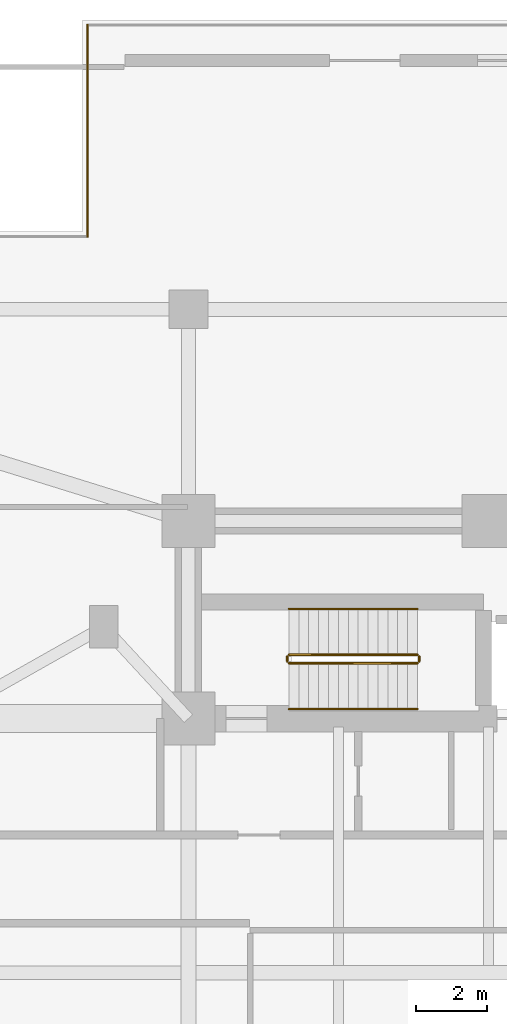
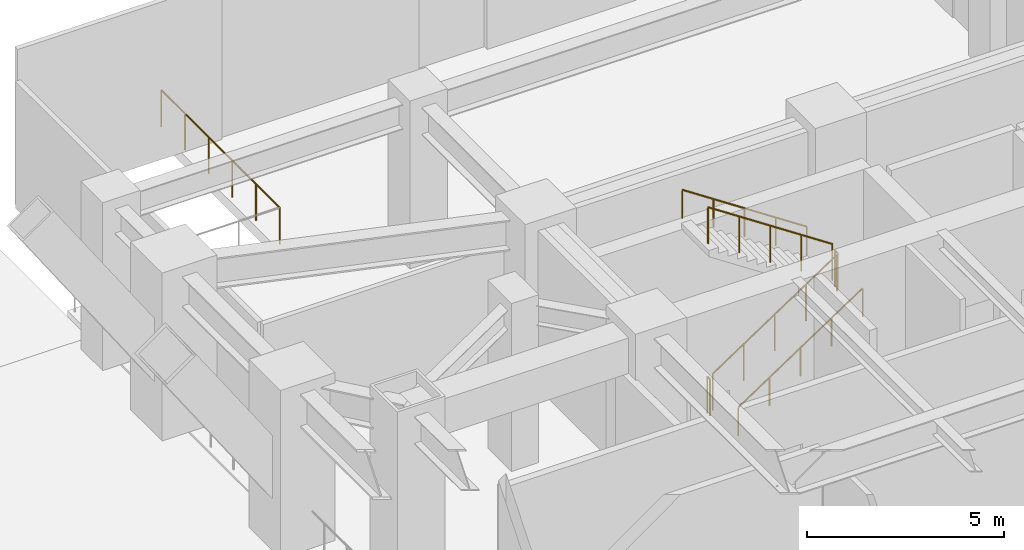
# One storey, part 25 of 27: 7 railings.
"""IFC4 building model written with IfcOpenShell, lengths in metres."""

from ifc_helpers import new_model, si_unit, direction, frame, origin, origin_2d, place, context, subcontext, project, spatial, circle, extrude, material, type_object, element, save


model = new_model("IFC4")

# Units and contexts
model_context = context("Model", 3, precision=1e-05, world=origin(), true_north=direction((0.0, 1.0)))
body_context = subcontext(model_context, "Body", "Model", "MODEL_VIEW")
ifc_project = project(units=[si_unit("LENGTHUNIT", "METRE"), si_unit("AREAUNIT", "SQUARE_METRE"), si_unit("VOLUMEUNIT", "CUBIC_METRE"), si_unit("PLANEANGLEUNIT", "RADIAN"), si_unit("MASSUNIT", "GRAM", prefix="KILO")], contexts=[model_context])

# Site, building, storey
site_placement = place(None, origin())
site = spatial("IfcSite", under=ifc_project, at=site_placement, CompositionType="ELEMENT")
building_placement = place(site_placement, origin())
building = spatial("IfcBuilding", under=site, at=building_placement, Name="Mirazonda Arch Towers", CompositionType="ELEMENT")
storey_placement = place(building_placement, origin())
storey = spatial("IfcBuildingStorey", under=building, at=storey_placement, Name="L00", CompositionType="ELEMENT", Elevation=0.0)

# Railings
ifc_material = material(Name="Architectural Brushed Steel S355", Category="steel")
railing_type_1 = type_object("IfcRailingType", Name="GUARD-EXT-1150", PredefinedType="GUARDRAIL", material=ifc_material)
railing_1_placement = place(storey_placement, frame((65.139892578125, 54.860107421875, 0.0)))
element("IfcRailing", 1, at=railing_1_placement, inside=storey, type_object=railing_type_1, Name="L00 L00 Podium Edge Guard 10 05", PredefinedType="GUARDRAIL", context=body_context, shape_type="SweptSolid", body=[
    extrude(circle(Radius=0.02392578125, at=origin_2d()), frame((0.0, 0.0, 1.1259765625), z_axis=(0.0, -1.0, 0.0), x_axis=(1.0, 0.0, 0.0)), (0.0, 0.0, 1.0), 6.0),
    extrude(circle(Radius=0.02099609375, at=origin_2d()), origin(), (0.0, 0.0, 1.0), 1.101806640625),
    extrude(circle(Radius=0.02099609375, at=origin_2d()), frame((0.0, -1.199951171875, 0.0)), (0.0, 0.0, 1.0), 1.101806640625),
    extrude(circle(Radius=0.02099609375, at=origin_2d()), frame((0.0, -2.39990234375, 0.0)), (0.0, 0.0, 1.0), 1.101806640625),
    extrude(circle(Radius=0.02099609375, at=origin_2d()), frame((0.0, -3.60009765625, 0.0)), (0.0, 0.0, 1.0), 1.101806640625),
    extrude(circle(Radius=0.02099609375, at=origin_2d()), frame((0.0, -4.800048828125, 0.0)), (0.0, 0.0, 1.0), 1.101806640625),
    extrude(circle(Radius=0.02099609375, at=origin_2d()), frame((0.0, -6.0, 0.0)), (0.0, 0.0, 1.0), 1.101806640625),
])
railing_type_2 = type_object("IfcRailingType", Name="GUARD-STAIR-1120", PredefinedType="GUARDRAIL", material=ifc_material)
railing_2_placement = place(storey_placement, frame((70.85009765625, 36.77001953125, 0.185791015625)))
element("IfcRailing", 2, at=railing_2_placement, inside=storey, type_object=railing_type_2, Name="L00 ST-T2N stair guard 1", PredefinedType="GUARDRAIL", context=body_context, shape_type="SweptSolid", body=[
    extrude(circle(Radius=0.02392578125, at=origin_2d()), frame((0.0, 0.0, 1.1259765625), z_axis=(0.833346510843, 0.0, 0.552750932036), x_axis=(0.0, 1.0, 0.0)), (0.0, 0.0, 1.0), 4.367919921875),
    extrude(circle(Radius=0.02099609375, at=origin_2d()), origin(), (0.0, 0.0, 1.0), 1.101806640625),
    extrude(circle(Radius=0.02099609375, at=origin_2d()), frame((0.909912109375, 0.0, 0.603515625)), (0.0, 0.0, 1.0), 1.101806640625),
    extrude(circle(Radius=0.02099609375, at=origin_2d()), frame((1.81982421875, 0.0, 1.20703125)), (0.0, 0.0, 1.0), 1.101806640625),
    extrude(circle(Radius=0.02099609375, at=origin_2d()), frame((2.72998046875, 0.0, 1.810791015625)), (0.0, 0.0, 1.0), 1.101806640625),
    extrude(circle(Radius=0.02099609375, at=origin_2d()), frame((3.639892578125, 0.0, 2.414306640625)), (0.0, 0.0, 1.0), 1.101806640625),
])
railing_3_placement = place(storey_placement, frame((74.5400390625, 36.820068359375, 2.60009765625)))
element("IfcRailing", 3, at=railing_3_placement, inside=storey, type_object=railing_type_2, Name="L00 ST-T2N stair guard 2", PredefinedType="GUARDRAIL", context=body_context, shape_type="SweptSolid", body=[
    extrude(circle(Radius=0.02392578125, at=origin_2d()), frame((0.0, 0.0, 1.1259765625), z_axis=(0.0, 1.0, 0.0), x_axis=(-1.0, 0.0, 0.0)), (0.0, 0.0, 1.0), 0.139892578125),
    extrude(circle(Radius=0.02099609375, at=origin_2d()), origin(), (0.0, 0.0, 1.0), 1.101806640625),
    extrude(circle(Radius=0.02099609375, at=origin_2d()), frame((0.0, 0.139892578125, 0.0)), (0.0, 0.0, 1.0), 1.101806640625),
])
railing_4_placement = place(storey_placement, frame((74.489990234375, 37.010009765625, 2.78564453125)))
element("IfcRailing", 4, at=railing_4_placement, inside=storey, type_object=railing_type_2, Name="L00 ST-T2N stair guard 3", PredefinedType="GUARDRAIL", context=body_context, shape_type="SweptSolid", body=[
    extrude(circle(Radius=0.02392578125, at=origin_2d()), frame((0.0, 0.0, 1.1259765625), z_axis=(-0.833346510843, 0.0, 0.552750932036), x_axis=(0.0, -1.0, 0.0)), (0.0, 0.0, 1.0), 4.367919921875),
    extrude(circle(Radius=0.02099609375, at=origin_2d()), origin(), (0.0, 0.0, 1.0), 1.101806640625),
    extrude(circle(Radius=0.02099609375, at=origin_2d()), frame((-0.909912109375, 0.0, 0.603515625)), (0.0, 0.0, 1.0), 1.101806640625),
    extrude(circle(Radius=0.02099609375, at=origin_2d()), frame((-1.81982421875, 0.0, 1.20703125)), (0.0, 0.0, 1.0), 1.101806640625),
    extrude(circle(Radius=0.02099609375, at=origin_2d()), frame((-2.72998046875, 0.0, 1.810791015625)), (0.0, 0.0, 1.0), 1.101806640625),
    extrude(circle(Radius=0.02099609375, at=origin_2d()), frame((-3.639892578125, 0.0, 2.414306640625)), (0.0, 0.0, 1.0), 1.101806640625),
])
railing_5_placement = place(storey_placement, frame((70.800048828125, 36.820068359375, 0.0)))
element("IfcRailing", 5, at=railing_5_placement, inside=storey, type_object=railing_type_2, Name="L00 ST-T2N stair guard 4", PredefinedType="GUARDRAIL", context=body_context, shape_type="SweptSolid", body=[
    extrude(circle(Radius=0.02392578125, at=origin_2d()), frame((0.0, 0.0, 1.1259765625), z_axis=(0.0, 1.0, 0.0), x_axis=(-1.0, 0.0, 0.0)), (0.0, 0.0, 1.0), 0.139892578125),
    extrude(circle(Radius=0.02099609375, at=origin_2d()), origin(), (0.0, 0.0, 1.0), 1.101806640625),
    extrude(circle(Radius=0.02099609375, at=origin_2d()), frame((0.0, 0.139892578125, 0.0)), (0.0, 0.0, 1.0), 1.101806640625),
])
railing_type_3 = type_object("IfcRailingType", Name="HANDRAIL-915", PredefinedType="HANDRAIL", material=ifc_material)
railing_6_placement = place(storey_placement, frame((70.85009765625, 35.469970703125, 0.185791015625)))
element("IfcRailing", 6, at=railing_6_placement, inside=storey, type_object=railing_type_3, Name="L00 ST-T2N stair handrail 1", PredefinedType="HANDRAIL", context=body_context, shape_type="SweptSolid", body=[
    extrude(circle(Radius=0.02392578125, at=origin_2d()), frame((0.0, 0.0, 0.8759765625), z_axis=(0.833346510843, 0.0, 0.552750932036), x_axis=(0.0, 1.0, 0.0)), (0.0, 0.0, 1.0), 4.367919921875),
    extrude(circle(Radius=0.02099609375, at=origin_2d()), origin(), (0.0, 0.0, 1.0), 0.851806640625),
    extrude(circle(Radius=0.02099609375, at=origin_2d()), frame((0.909912109375, 0.0, 0.603515625)), (0.0, 0.0, 1.0), 0.851806640625),
    extrude(circle(Radius=0.02099609375, at=origin_2d()), frame((1.81982421875, 0.0, 1.20703125)), (0.0, 0.0, 1.0), 0.851806640625),
    extrude(circle(Radius=0.02099609375, at=origin_2d()), frame((2.72998046875, 0.0, 1.810791015625)), (0.0, 0.0, 1.0), 0.851806640625),
    extrude(circle(Radius=0.02099609375, at=origin_2d()), frame((3.639892578125, 0.0, 2.414306640625)), (0.0, 0.0, 1.0), 0.851806640625),
])
railing_7_placement = place(storey_placement, frame((74.489990234375, 38.31005859375, 2.78564453125)))
element("IfcRailing", 7, at=railing_7_placement, inside=storey, type_object=railing_type_3, Name="L00 ST-T2N stair handrail 2", PredefinedType="HANDRAIL", context=body_context, shape_type="SweptSolid", body=[
    extrude(circle(Radius=0.02392578125, at=origin_2d()), frame((0.0, 0.0, 0.8759765625), z_axis=(-0.833346510843, 0.0, 0.552750932036), x_axis=(0.0, -1.0, 0.0)), (0.0, 0.0, 1.0), 4.367919921875),
    extrude(circle(Radius=0.02099609375, at=origin_2d()), origin(), (0.0, 0.0, 1.0), 0.851806640625),
    extrude(circle(Radius=0.02099609375, at=origin_2d()), frame((-0.909912109375, 0.0, 0.603515625)), (0.0, 0.0, 1.0), 0.851806640625),
    extrude(circle(Radius=0.02099609375, at=origin_2d()), frame((-1.81982421875, 0.0, 1.20703125)), (0.0, 0.0, 1.0), 0.851806640625),
    extrude(circle(Radius=0.02099609375, at=origin_2d()), frame((-2.72998046875, 0.0, 1.810791015625)), (0.0, 0.0, 1.0), 0.851806640625),
    extrude(circle(Radius=0.02099609375, at=origin_2d()), frame((-3.639892578125, 0.0, 2.414306640625)), (0.0, 0.0, 1.0), 0.851806640625),
])

save(model, "model.ifc")
